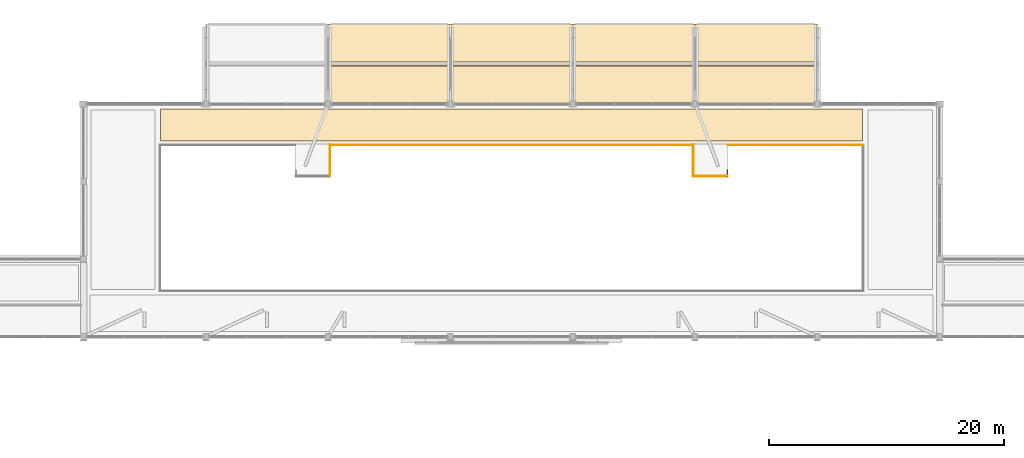
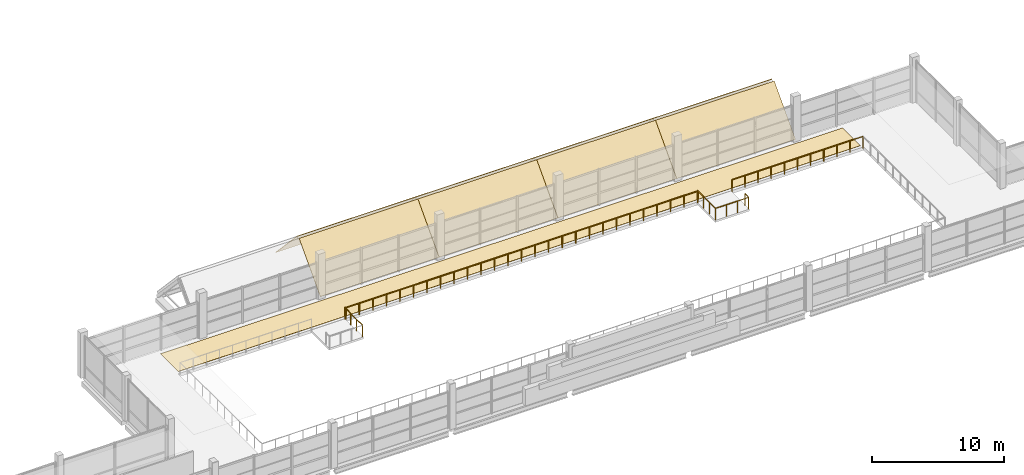
# One storey, part 81 of 85: 9 coverings, 6 railings.
"""IFC4 building model written with IfcOpenShell, lengths in metres."""

import ifcopenshell
import ifcopenshell.guid

model = None  # the IFC model being written
_history = None  # IfcOwnerHistory: only IFC2X3 demands one
_inside = {}  # id of a spatial element -> (the spatial element, [elements in it])
_under = {}  # id of a project, library or spatial element -> (it, [spatial elements below it])
_declared = {}  # id of a project -> (the project, [libraries it declares])
_typed = {}  # id of a type object -> (the type object, [elements of that type])
_made_of = {}  # id of a material, layer set ... -> (it, [elements and type objects made of it])


def new_model(schema):
    """Start an empty IFC model of exactly this schema.

    Asked for "IFC4X3", IfcOpenShell would pick the latest addendum, in which some entities
    have other attributes; the version numbers below select the first issue.
    IFC2X3 requires an IfcOwnerHistory on every rooted entity: one is made here for all.
    """
    global model, _history
    if schema == "IFC4X3":
        model = ifcopenshell.file(schema_version=(4, 3, 0, 0))
    else:
        model = ifcopenshell.file(schema=schema)
    _inside.clear()
    _under.clear()
    _declared.clear()
    _typed.clear()
    _made_of.clear()
    _history = None
    if model.schema == "IFC2X3":
        org = make("IfcOrganization", Name="unknown")
        user = make(
            "IfcPersonAndOrganization",
            ThePerson=make("IfcPerson", FamilyName="unknown"),
            TheOrganization=org,
        )
        app = make(
            "IfcApplication",
            ApplicationDeveloper=org,
            Version="unknown",
            ApplicationFullName="unknown",
            ApplicationIdentifier="unknown",
        )
        _history = make(
            "IfcOwnerHistory",
            OwningUser=user,
            OwningApplication=app,
            ChangeAction="ADDED",
            CreationDate=0,
        )
    return model


def make(cls, **values):
    """One entity of the class cls with the attributes given. An attribute that is None is left unset."""
    return model.create_entity(
        cls, **{name: value for name, value in values.items() if value is not None}
    )


def rooted(cls, **values):
    """An entity with a GlobalId (a new one), such as an element, a storey or a relation."""
    return make(cls, GlobalId=ifcopenshell.guid.new(), OwnerHistory=_history, **values)


def si_unit(unit_type, name, prefix=None):
    """IfcSIUnit, for example si_unit("LENGTHUNIT", "METRE", prefix="MILLI")."""
    return make("IfcSIUnit", UnitType=unit_type, Prefix=prefix, Name=name)


def derived_unit(unit_type, elements):
    """IfcDerivedUnit: a product of units, each with its exponent."""
    return make(
        "IfcDerivedUnit",
        Elements=[
            make("IfcDerivedUnitElement", Unit=unit, Exponent=power)
            for unit, power in elements
        ],
        UnitType=unit_type,
    )


def assignment(units):
    """IfcUnitAssignment: the units of a project."""
    return None if units is None else make("IfcUnitAssignment", Units=units)


def point(xyz):
    """IfcCartesianPoint."""
    return None if xyz is None else make("IfcCartesianPoint", Coordinates=xyz)


def direction(xyz):
    """IfcDirection."""
    return None if xyz is None else make("IfcDirection", DirectionRatios=xyz)


def frame(location, z_axis=None, x_axis=None):
    """IfcAxis2Placement3D, a coordinate frame: its origin and axes. An axis left out is left unset."""
    return make(
        "IfcAxis2Placement3D",
        Location=point(location),
        Axis=direction(z_axis),
        RefDirection=direction(x_axis),
    )


def frame_2d(location, x_axis=None):
    """IfcAxis2Placement2D, a coordinate frame in the plane: its origin and x axis."""
    return make(
        "IfcAxis2Placement2D", Location=point(location), RefDirection=direction(x_axis)
    )


def origin():
    """The frame at (0, 0, 0) with its axes left unset."""
    return frame((0.0, 0.0, 0.0))


def origin_2d():
    """The frame at (0, 0) in the plane with its x axis left unset."""
    return frame_2d((0.0, 0.0))


def place(relative_to, where):
    """IfcLocalPlacement: puts the frame where relative to a parent placement (None: the world)."""
    return make(
        "IfcLocalPlacement", PlacementRelTo=relative_to, RelativePlacement=where
    )


def context(
    kind, dimensions, precision=None, world=None, true_north=None, identifier=None
):
    """IfcGeometricRepresentationContext, for example the 3D "Model" context."""
    return make(
        "IfcGeometricRepresentationContext",
        ContextIdentifier=identifier,
        ContextType=kind,
        CoordinateSpaceDimension=dimensions,
        Precision=precision,
        WorldCoordinateSystem=world,
        TrueNorth=true_north,
    )


def subcontext(parent, identifier, kind, view, scale=None):
    """IfcGeometricRepresentationSubContext, for example "Body" below "Model"."""
    return make(
        "IfcGeometricRepresentationSubContext",
        ContextIdentifier=identifier,
        ContextType=kind,
        ParentContext=parent,
        TargetScale=scale,
        TargetView=view,
    )


def project(units=None, contexts=None):
    """IfcProject with its units and contexts."""
    return rooted(
        "IfcProject",
        Name="project",
        RepresentationContexts=contexts,
        UnitsInContext=assignment(units),
    )


def spatial(cls, under=None, at=None, **own):
    """A site, building, storey or space (cls), placed at a placement, below another one or the project."""
    s = rooted(cls, ObjectPlacement=at, **own)
    if under is not None:
        _under.setdefault(under.id(), (under, []))[1].append(s)
    return s


def polyline(points):
    """IfcPolyline through the points."""
    return make("IfcPolyline", Points=[point(p) for p in points])


def profile(cls, at=None, kind="AREA", **sizes):
    """A parametric profile (cls). Its sizes go by their IFC names, for example OverallWidth=200.0."""
    return make(cls, ProfileType=kind, Position=at, **sizes)


def circle(**sizes):
    """IfcCircleProfileDef."""
    return profile("IfcCircleProfileDef", **sizes)


def outline(outer, holes=None, kind="AREA"):
    """IfcArbitraryClosedProfileDef: a profile drawn as a closed curve; with holes, ...WithVoids."""
    if holes is None:
        return make("IfcArbitraryClosedProfileDef", ProfileType=kind, OuterCurve=outer)
    return make(
        "IfcArbitraryProfileDefWithVoids",
        ProfileType=kind,
        OuterCurve=outer,
        InnerCurves=holes,
    )


def extrude(swept, where, along, depth):
    """IfcExtrudedAreaSolid: the profile swept, set in the frame where, extruded along a direction by depth."""
    return make(
        "IfcExtrudedAreaSolid",
        SweptArea=swept,
        Position=where,
        ExtrudedDirection=direction(along),
        Depth=depth,
    )


def shape(context_of_items, identifier, shape_type, items):
    """IfcShapeRepresentation: the items that make up one representation, for example the "Body"."""
    return make(
        "IfcShapeRepresentation",
        ContextOfItems=context_of_items,
        RepresentationIdentifier=identifier,
        RepresentationType=shape_type,
        Items=items,
    )


def material(Name=None, Category=None):
    """IfcMaterial."""
    return make("IfcMaterial", Name=Name, Category=Category)


def layer(
    of_material, thickness, ventilated=None, Name=None, Category=None, Priority=None
):
    """IfcMaterialLayer: one layer of a wall or slab, of a material (None: an air gap)."""
    return make(
        "IfcMaterialLayer",
        Material=of_material,
        LayerThickness=thickness,
        IsVentilated=ventilated,
        Name=Name,
        Category=Category,
        Priority=Priority,
    )


def layer_set(layers, Name=None):
    """IfcMaterialLayerSet."""
    return make("IfcMaterialLayerSet", MaterialLayers=layers, LayerSetName=Name)


def made_of(thing, what):
    """Note that an element or type object is made of a material, layer set ...; save() writes the relation."""
    if what is not None:
        _made_of.setdefault(what.id(), (what, []))[1].append(thing)
    return thing


def type_object(cls, material=None, **own):
    """A type object (cls), such as IfcWallType, which elements share."""
    return made_of(rooted(cls, **own), material)


def element(
    cls,
    number,
    at=None,
    inside=None,
    cuts=None,
    type_object=None,
    material=None,
    context=None,
    identifier="Body",
    shape_type=None,
    held_by="IfcProductDefinitionShape",
    body=None,
    shapes=None,
    **own,
):
    """One element of the class cls, such as IfcWall. Its Tag is "e" and its number.

    at: its placement. inside: the storey or other place that contains it. cuts: it is an
    opening in that element (IfcRelVoidsElement). A single representation is given by context,
    identifier, shape_type and body (its items); several are given by shapes. held_by: the class
    of the entity that holds the representations. save() writes the other relations.
    """
    e = rooted(cls, Tag="e%d" % number, ObjectPlacement=at, **own)
    if body is not None:
        shapes = [shape(context, identifier, shape_type, body)]
    if shapes is not None:
        e.Representation = make(held_by, Representations=shapes)
    if inside is not None:
        _inside.setdefault(inside.id(), (inside, []))[1].append(e)
    if cuts is not None:
        rooted(
            "IfcRelVoidsElement", RelatingBuildingElement=cuts, RelatedOpeningElement=e
        )
    if type_object is not None:
        _typed.setdefault(type_object.id(), (type_object, []))[1].append(e)
    return made_of(e, material)


def aggregate(whole, parts):
    """IfcRelAggregates: a whole, such as a stair, and the parts it consists of."""
    return rooted("IfcRelAggregates", RelatingObject=whole, RelatedObjects=parts)


def save(model, path):
    """Write the relations noted so far, then the file.

    IfcRelAggregates (storeys below a building ...), IfcRelContainedInSpatialStructure (elements
    in a storey), IfcRelDefinesByType, IfcRelAssociatesMaterial and IfcRelDeclares: one each for
    every whole, place, type object, material and project.
    """
    for whole, parts in _under.values():
        aggregate(whole, parts)
    for where, things in _inside.values():
        rooted(
            "IfcRelContainedInSpatialStructure",
            RelatedElements=things,
            RelatingStructure=where,
        )
    for kind, things in _typed.values():
        rooted("IfcRelDefinesByType", RelatedObjects=things, RelatingType=kind)
    for what, things in _made_of.values():
        rooted("IfcRelAssociatesMaterial", RelatedObjects=things, RelatingMaterial=what)
    for by, libraries in _declared.values():
        rooted("IfcRelDeclares", RelatingContext=by, RelatedDefinitions=libraries)
    model.write(path)


model = new_model("IFC4")

# Units and contexts
model_context = context("Model", 3, precision=1e-05, world=origin(), true_north=direction((0.0, 1.0)))
body_context = subcontext(model_context, "Body", "Model", "MODEL_VIEW")
ifc_project = project(units=[si_unit("LENGTHUNIT", "METRE"), si_unit("AREAUNIT", "SQUARE_METRE"), si_unit("VOLUMEUNIT", "CUBIC_METRE"), si_unit("PLANEANGLEUNIT", "RADIAN"), si_unit("MASSUNIT", "GRAM", prefix="KILO"), derived_unit("THERMALTRANSMITTANCEUNIT", [(si_unit("POWERUNIT", "WATT"), 1), (si_unit("LENGTHUNIT", "METRE"), -2), (si_unit("THERMODYNAMICTEMPERATUREUNIT", "KELVIN"), -1)])], contexts=[model_context])

# Site, building, storey
site_placement = place(None, origin())
site = spatial("IfcSite", under=ifc_project, at=site_placement, CompositionType="ELEMENT")
building_placement = place(site_placement, origin())
building = spatial("IfcBuilding", under=site, at=building_placement, Name="Braskholm Square Health Centre", CompositionType="ELEMENT")
storey_placement = place(building_placement, frame((0.0, 0.0, 9.300048828125)))
storey = spatial("IfcBuildingStorey", under=building, at=storey_placement, Name="L03", CompositionType="ELEMENT", Elevation=9.300048828125)

# Railings
ifc_material_1 = material(Name="Dark patinated chevron architectural bronze", Category="aluminium")
railing_type = type_object("IfcRailingType", Name="BronzeChevronGuardrail1100", PredefinedType="GUARDRAIL", material=ifc_material_1)
railing_1_placement = place(storey_placement, frame((68.550048828125, 100.85009765625, 0.0)))
element("IfcRailing", 1, at=railing_1_placement, inside=storey, type_object=railing_type, Name="Atrium stair landing edge guard 05", PredefinedType="GUARDRAIL", context=body_context, shape_type="SweptSolid", body=[
    extrude(circle(Radius=0.02392578125, at=origin_2d()), frame((0.0, 0.0, 1.076171875), z_axis=(0.0, 1.0, 0.0), x_axis=(-1.0, 0.0, 0.0)), (0.0, 0.0, 1.0), 2.699951171875),
    extrude(circle(Radius=0.02099609375, at=origin_2d()), origin(), (0.0, 0.0, 1.0), 1.052001953125),
    extrude(circle(Radius=0.02099609375, at=origin_2d()), frame((0.0, 0.89990234375, 0.0)), (0.0, 0.0, 1.0), 1.052001953125),
    extrude(circle(Radius=0.02099609375, at=origin_2d()), frame((0.0, 1.800048828125, 0.0)), (0.0, 0.0, 1.0), 1.052001953125),
    extrude(circle(Radius=0.02099609375, at=origin_2d()), frame((0.0, 2.699951171875, 0.0)), (0.0, 0.0, 1.0), 1.052001953125),
])
railing_2_placement = place(storey_placement, frame((102.35009765625, 101.39990234375, 0.0)))
element("IfcRailing", 2, at=railing_2_placement, inside=storey, type_object=railing_type, Name="Atrium stair landing edge guard 06", PredefinedType="GUARDRAIL", context=body_context, shape_type="SweptSolid", body=[
    extrude(circle(Radius=0.02392578125, at=origin_2d()), frame((0.0, 0.0, 1.076171875), z_axis=(0.0, -1.0, 0.0), x_axis=(1.0, 0.0, 0.0)), (0.0, 0.0, 1.0), 0.5498046875),
    extrude(circle(Radius=0.02099609375, at=origin_2d()), origin(), (0.0, 0.0, 1.0), 1.052001953125),
    extrude(circle(Radius=0.02099609375, at=origin_2d()), frame((0.0, -0.5498046875, 0.0)), (0.0, 0.0, 1.0), 1.052001953125),
])
railing_3_placement = place(storey_placement, frame((102.35009765625, 100.85009765625, 0.0)))
element("IfcRailing", 3, at=railing_3_placement, inside=storey, type_object=railing_type, Name="Atrium stair landing edge guard 06", PredefinedType="GUARDRAIL", context=body_context, shape_type="SweptSolid", body=[
    extrude(circle(Radius=0.02392578125, at=origin_2d()), frame((0.0, 0.0, 1.076171875), z_axis=(-1.0, 0.0, 0.0), x_axis=(0.0, -1.0, 0.0)), (0.0, 0.0, 1.0), 2.900146484375),
    extrude(circle(Radius=0.02099609375, at=origin_2d()), origin(), (0.0, 0.0, 1.0), 1.052001953125),
    extrude(circle(Radius=0.02099609375, at=origin_2d()), frame((-0.966796875, 0.0, 0.0)), (0.0, 0.0, 1.0), 1.052001953125),
    extrude(circle(Radius=0.02099609375, at=origin_2d()), frame((-1.933349609375, 0.0, 0.0)), (0.0, 0.0, 1.0), 1.052001953125),
    extrude(circle(Radius=0.02099609375, at=origin_2d()), frame((-2.900146484375, 0.0, 0.0)), (0.0, 0.0, 1.0), 1.052001953125),
])
railing_4_placement = place(storey_placement, frame((99.449951171875, 100.85009765625, 0.0)))
element("IfcRailing", 4, at=railing_4_placement, inside=storey, type_object=railing_type, Name="Atrium stair landing edge guard 06", PredefinedType="GUARDRAIL", context=body_context, shape_type="SweptSolid", body=[
    extrude(circle(Radius=0.02392578125, at=origin_2d()), frame((0.0, 0.0, 1.076171875), z_axis=(0.0, 1.0, 0.0), x_axis=(-1.0, 0.0, 0.0)), (0.0, 0.0, 1.0), 2.699951171875),
    extrude(circle(Radius=0.02099609375, at=origin_2d()), origin(), (0.0, 0.0, 1.0), 1.052001953125),
    extrude(circle(Radius=0.02099609375, at=origin_2d()), frame((0.0, 0.89990234375, 0.0)), (0.0, 0.0, 1.0), 1.052001953125),
    extrude(circle(Radius=0.02099609375, at=origin_2d()), frame((0.0, 1.800048828125, 0.0)), (0.0, 0.0, 1.0), 1.052001953125),
    extrude(circle(Radius=0.02099609375, at=origin_2d()), frame((0.0, 2.699951171875, 0.0)), (0.0, 0.0, 1.0), 1.052001953125),
])
railing_5_placement = place(storey_placement, frame((68.60009765625, 103.5, 0.0)))
element("IfcRailing", 5, at=railing_5_placement, inside=storey, type_object=railing_type, Name="Bronze chevron guardrail 0062 L03", PredefinedType="GUARDRAIL", context=body_context, shape_type="SweptSolid", body=[
    extrude(circle(Radius=0.02392578125, at=origin_2d()), frame((0.0, 0.0, 1.076171875), z_axis=(1.0, 0.0, 0.0), x_axis=(0.0, 1.0, 0.0)), (0.0, 0.0, 1.0), 30.7998046875),
    extrude(circle(Radius=0.02099609375, at=origin_2d()), origin(), (0.0, 0.0, 1.0), 1.052001953125),
    extrude(circle(Radius=0.02099609375, at=origin_2d()), frame((1.1845703125, 0.0, 0.0)), (0.0, 0.0, 1.0), 1.052001953125),
    extrude(circle(Radius=0.02099609375, at=origin_2d()), frame((2.369140625, 0.0, 0.0)), (0.0, 0.0, 1.0), 1.052001953125),
    extrude(circle(Radius=0.02099609375, at=origin_2d()), frame((3.5537109375, 0.0, 0.0)), (0.0, 0.0, 1.0), 1.052001953125),
    extrude(circle(Radius=0.02099609375, at=origin_2d()), frame((4.738525390625, 0.0, 0.0)), (0.0, 0.0, 1.0), 1.052001953125),
    extrude(circle(Radius=0.02099609375, at=origin_2d()), frame((5.923095703125, 0.0, 0.0)), (0.0, 0.0, 1.0), 1.052001953125),
    extrude(circle(Radius=0.02099609375, at=origin_2d()), frame((7.107666015625, 0.0, 0.0)), (0.0, 0.0, 1.0), 1.052001953125),
    extrude(circle(Radius=0.02099609375, at=origin_2d()), frame((8.292236328125, 0.0, 0.0)), (0.0, 0.0, 1.0), 1.052001953125),
    extrude(circle(Radius=0.02099609375, at=origin_2d()), frame((9.476806640625, 0.0, 0.0)), (0.0, 0.0, 1.0), 1.052001953125),
    extrude(circle(Radius=0.02099609375, at=origin_2d()), frame((10.661376953125, 0.0, 0.0)), (0.0, 0.0, 1.0), 1.052001953125),
    extrude(circle(Radius=0.02099609375, at=origin_2d()), frame((11.84619140625, 0.0, 0.0)), (0.0, 0.0, 1.0), 1.052001953125),
    extrude(circle(Radius=0.02099609375, at=origin_2d()), frame((13.03076171875, 0.0, 0.0)), (0.0, 0.0, 1.0), 1.052001953125),
    extrude(circle(Radius=0.02099609375, at=origin_2d()), frame((14.21533203125, 0.0, 0.0)), (0.0, 0.0, 1.0), 1.052001953125),
    extrude(circle(Radius=0.02099609375, at=origin_2d()), frame((15.39990234375, 0.0, 0.0)), (0.0, 0.0, 1.0), 1.052001953125),
    extrude(circle(Radius=0.02099609375, at=origin_2d()), frame((16.58447265625, 0.0, 0.0)), (0.0, 0.0, 1.0), 1.052001953125),
    extrude(circle(Radius=0.02099609375, at=origin_2d()), frame((17.76904296875, 0.0, 0.0)), (0.0, 0.0, 1.0), 1.052001953125),
    extrude(circle(Radius=0.02099609375, at=origin_2d()), frame((18.95361328125, 0.0, 0.0)), (0.0, 0.0, 1.0), 1.052001953125),
    extrude(circle(Radius=0.02099609375, at=origin_2d()), frame((20.138427734375, 0.0, 0.0)), (0.0, 0.0, 1.0), 1.052001953125),
    extrude(circle(Radius=0.02099609375, at=origin_2d()), frame((21.322998046875, 0.0, 0.0)), (0.0, 0.0, 1.0), 1.052001953125),
    extrude(circle(Radius=0.02099609375, at=origin_2d()), frame((22.507568359375, 0.0, 0.0)), (0.0, 0.0, 1.0), 1.052001953125),
    extrude(circle(Radius=0.02099609375, at=origin_2d()), frame((23.692138671875, 0.0, 0.0)), (0.0, 0.0, 1.0), 1.052001953125),
    extrude(circle(Radius=0.02099609375, at=origin_2d()), frame((24.876708984375, 0.0, 0.0)), (0.0, 0.0, 1.0), 1.052001953125),
    extrude(circle(Radius=0.02099609375, at=origin_2d()), frame((26.061279296875, 0.0, 0.0)), (0.0, 0.0, 1.0), 1.052001953125),
    extrude(circle(Radius=0.02099609375, at=origin_2d()), frame((27.24609375, 0.0, 0.0)), (0.0, 0.0, 1.0), 1.052001953125),
    extrude(circle(Radius=0.02099609375, at=origin_2d()), frame((28.4306640625, 0.0, 0.0)), (0.0, 0.0, 1.0), 1.052001953125),
    extrude(circle(Radius=0.02099609375, at=origin_2d()), frame((29.615234375, 0.0, 0.0)), (0.0, 0.0, 1.0), 1.052001953125),
    extrude(circle(Radius=0.02099609375, at=origin_2d()), frame((30.7998046875, 0.0, 0.0)), (0.0, 0.0, 1.0), 1.052001953125),
])
railing_6_placement = place(storey_placement, frame((102.39990234375, 103.5, 0.0)))
element("IfcRailing", 6, at=railing_6_placement, inside=storey, type_object=railing_type, Name="Bronze chevron guardrail 0063 L03", PredefinedType="GUARDRAIL", context=body_context, shape_type="SweptSolid", body=[
    extrude(circle(Radius=0.02392578125, at=origin_2d()), frame((0.0, 0.0, 1.076171875), z_axis=(1.0, 0.0, 0.0), x_axis=(0.0, 1.0, 0.0)), (0.0, 0.0, 1.0), 11.5),
    extrude(circle(Radius=0.02099609375, at=origin_2d()), origin(), (0.0, 0.0, 1.0), 1.052001953125),
    extrude(circle(Radius=0.02099609375, at=origin_2d()), frame((1.14990234375, 0.0, 0.0)), (0.0, 0.0, 1.0), 1.052001953125),
    extrude(circle(Radius=0.02099609375, at=origin_2d()), frame((2.300048828125, 0.0, 0.0)), (0.0, 0.0, 1.0), 1.052001953125),
    extrude(circle(Radius=0.02099609375, at=origin_2d()), frame((3.449951171875, 0.0, 0.0)), (0.0, 0.0, 1.0), 1.052001953125),
    extrude(circle(Radius=0.02099609375, at=origin_2d()), frame((4.60009765625, 0.0, 0.0)), (0.0, 0.0, 1.0), 1.052001953125),
    extrude(circle(Radius=0.02099609375, at=origin_2d()), frame((5.75, 0.0, 0.0)), (0.0, 0.0, 1.0), 1.052001953125),
    extrude(circle(Radius=0.02099609375, at=origin_2d()), frame((6.89990234375, 0.0, 0.0)), (0.0, 0.0, 1.0), 1.052001953125),
    extrude(circle(Radius=0.02099609375, at=origin_2d()), frame((8.050048828125, 0.0, 0.0)), (0.0, 0.0, 1.0), 1.052001953125),
    extrude(circle(Radius=0.02099609375, at=origin_2d()), frame((9.199951171875, 0.0, 0.0)), (0.0, 0.0, 1.0), 1.052001953125),
    extrude(circle(Radius=0.02099609375, at=origin_2d()), frame((10.35009765625, 0.0, 0.0)), (0.0, 0.0, 1.0), 1.052001953125),
    extrude(circle(Radius=0.02099609375, at=origin_2d()), frame((11.5, 0.0, 0.0)), (0.0, 0.0, 1.0), 1.052001953125),
])

# Coverings
ifc_material_2 = material(Name="Polished geometric terrazzo flooring", Category="masonry")
ifc_layer_1 = layer(ifc_material_2, 0.02001953125)
ifc_layer_set_1 = layer_set([ifc_layer_1], Name="Polished geometric terrazzo flooring")
covering_type_1 = type_object("IfcCoveringType", Name="PolishedTerrazzoFloorFinish", PredefinedType="FLOORING", material=ifc_layer_set_1)
covering_placement = place(storey_placement, origin())
element("IfcCovering", 7, at=covering_placement, inside=storey, type_object=covering_type_1, Name="Polished terrazzo floor L03-306", PredefinedType="FLOORING", context=body_context, shape_type="SweptSolid", body=[
    extrude(outline(polyline([(54.14990234375, 103.85009765625), (113.85009765625, 103.85009765625), (113.85009765625, 106.550048828125), (54.14990234375, 106.550048828125), (54.14990234375, 103.85009765625)])), origin(), (0.0, 0.0, 1.0), 0.02001953125),
])
ifc_material_3 = material(Name="Patinated standing-seam architectural copper")
ifc_layer_2 = layer(ifc_material_3, 0.0400390625)
ifc_layer_set_2 = layer_set([ifc_layer_2], Name="Patinated standing-seam architectural copper")
covering_type_2 = type_object("IfcCoveringType", Name="StandingSeamCopperRoofing", PredefinedType="ROOFING", material=ifc_layer_set_2)
for number, where, z_axis, x_axis, name in (
    (8, (68.39990234375, 107.0, 0.0400390625), (0.0, -0.731053547869, 0.682320093613), (1.0, 0.0, 0.0), "Hydrotherapy copper roofing Bay 2 South"),
    (9, (78.800048828125, 113.800048828125, 0.0400390625), (0.0, 0.731053547869, 0.682320093613), (-1.0, 0.0, 0.0), "Hydrotherapy copper roofing Bay 2 North"),
):
    element("IfcCovering", number, at=place(storey_placement, frame(where, z_axis=z_axis, x_axis=x_axis)), inside=storey, type_object=covering_type_2, Name=name, PredefinedType="ROOFING", context=body_context, shape_type="SweptSolid", body=[
        extrude(outline(polyline([(0.0, 0.0), (10.400146484375, 0.0), (10.400146484375, 4.719149755761624), (0.0, 4.719149755761624), (0.0, 0.0)])), origin(), (0.0, 0.0, -1.0), 0.0400390625),
    ])
for number, where, z_axis, x_axis, name in (
    (10, (78.800048828125, 107.0, 0.0400390625), (0.0, -0.731053547869, 0.682320093613), (1.0, 0.0, 0.0), "Hydrotherapy copper roofing Bay 3 South"),
    (11, (89.199951171875, 113.800048828125, 0.0400390625), (0.0, 0.731053547869, 0.682320093613), (-1.0, 0.0, 0.0), "Hydrotherapy copper roofing Bay 3 North"),
):
    element("IfcCovering", number, at=place(storey_placement, frame(where, z_axis=z_axis, x_axis=x_axis)), inside=storey, type_object=covering_type_2, Name=name, PredefinedType="ROOFING", context=body_context, shape_type="SweptSolid", body=[
        extrude(outline(polyline([(0.0, 0.0), (10.39990234375, 0.0), (10.39990234375, 4.719149755761624), (0.0, 4.719149755761624), (0.0, 0.0)])), origin(), (0.0, 0.0, -1.0), 0.0400390625),
    ])
for number, where, z_axis, x_axis, name in (
    (12, (89.199951171875, 107.0, 0.0400390625), (0.0, -0.731053547869, 0.682320093613), (1.0, 0.0, 0.0), "Hydrotherapy copper roofing Bay 4 South"),
    (13, (99.60009765625, 113.800048828125, 0.0400390625), (0.0, 0.731053547869, 0.682320093613), (-1.0, 0.0, 0.0), "Hydrotherapy copper roofing Bay 4 North"),
):
    element("IfcCovering", number, at=place(storey_placement, frame(where, z_axis=z_axis, x_axis=x_axis)), inside=storey, type_object=covering_type_2, Name=name, PredefinedType="ROOFING", context=body_context, shape_type="SweptSolid", body=[
        extrude(outline(polyline([(0.0, 0.0), (10.400146484375, 0.0), (10.400146484375, 4.719149755761624), (0.0, 4.719149755761624), (0.0, 0.0)])), origin(), (0.0, 0.0, -1.0), 0.0400390625),
    ])
for number, where, z_axis, x_axis, name in (
    (14, (99.60009765625, 107.0, 0.0400390625), (0.0, -0.731053547869, 0.682320093613), (1.0, 0.0, 0.0), "Hydrotherapy copper roofing Bay 5 South"),
    (15, (110.0, 113.800048828125, 0.0400390625), (0.0, 0.731053547869, 0.682320093613), (-1.0, 0.0, 0.0), "Hydrotherapy copper roofing Bay 5 North"),
):
    element("IfcCovering", number, at=place(storey_placement, frame(where, z_axis=z_axis, x_axis=x_axis)), inside=storey, type_object=covering_type_2, Name=name, PredefinedType="ROOFING", context=body_context, shape_type="SweptSolid", body=[
        extrude(outline(polyline([(0.0, 0.0), (10.39990234375, 0.0), (10.39990234375, 4.719149755761624), (0.0, 4.719149755761624), (0.0, 0.0)])), origin(), (0.0, 0.0, -1.0), 0.0400390625),
    ])

save(model, "model.ifc")
